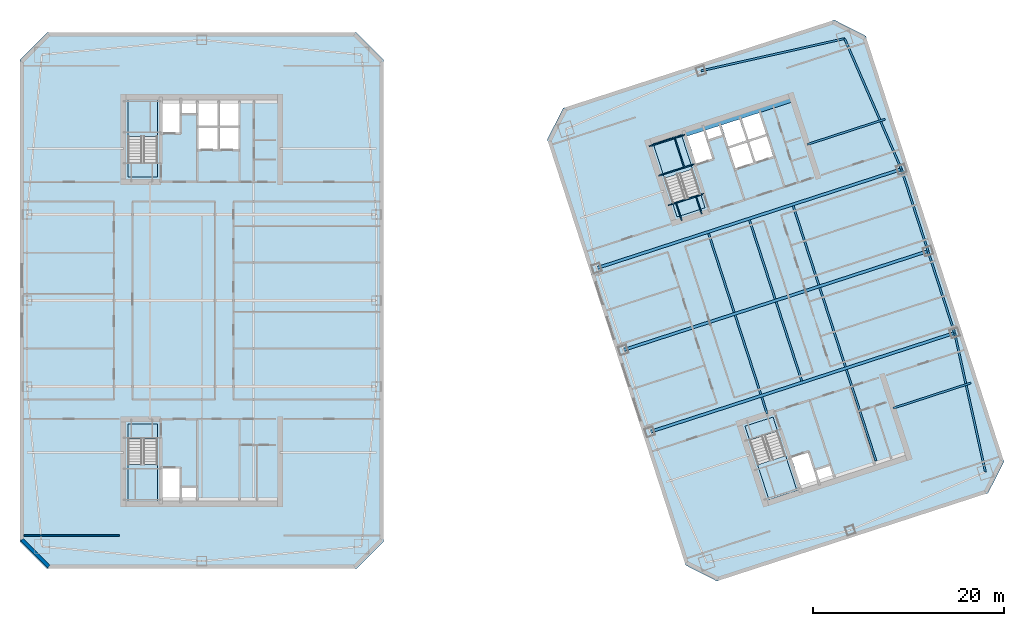
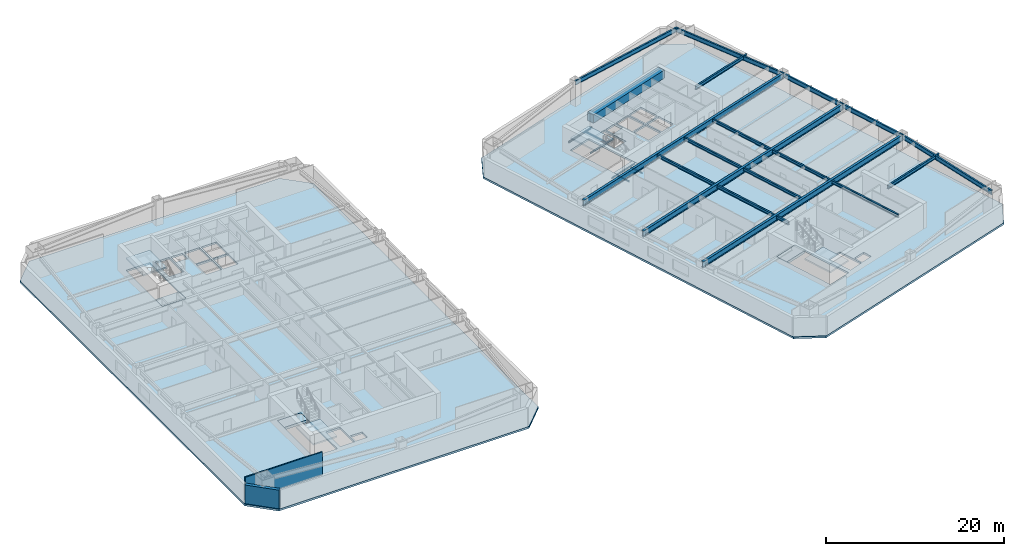
# One storey, part 2 of 11: 25 beams, 10 slabs, 2 walls, 4 elements without a shape of their own.
"""IFC4 building model written with IfcOpenShell, lengths in metres."""

from ifc_helpers import new_model, si_unit, direction, frame, frame_2d, origin, origin_2d, place, context, subcontext, project, spatial, polyline, rectangle, i_section, outline, extrude, material, layer, layer_set, material_profile, profile_set, type_object, element, aggregate, save


model = new_model("IFC4")

# Units and contexts
model_context = context("Model", 3, precision=1e-05, world=origin(), true_north=direction((0.0, 1.0)))
body_context = subcontext(model_context, "Body", "Model", "MODEL_VIEW")
ifc_project = project(units=[si_unit("LENGTHUNIT", "METRE"), si_unit("AREAUNIT", "SQUARE_METRE"), si_unit("VOLUMEUNIT", "CUBIC_METRE"), si_unit("PLANEANGLEUNIT", "RADIAN"), si_unit("MASSUNIT", "GRAM", prefix="KILO")], contexts=[model_context])

# Site, building, storey
site_placement = place(None, origin())
site = spatial("IfcSite", under=ifc_project, at=site_placement, CompositionType="ELEMENT")
building_placement = place(site_placement, origin())
building = spatial("IfcBuilding", under=site, at=building_placement, Name="Qiaolan Cultural Towers", CompositionType="ELEMENT")
storey_placement = place(building_placement, frame((0.0, 0.0, 96.60009765625)))
storey = spatial("IfcBuildingStorey", under=building, at=storey_placement, Name="L24", CompositionType="ELEMENT", Elevation=96.60009765625)

# Beams
ifc_material_1 = material(Name="Steel Q355B", Category="steel")
ifc_material_profile_1 = material_profile(ifc_material_1, i_section(OverallWidth=0.300048828125, OverallDepth=0.800048828125, WebThickness=0.013916015625, FlangeThickness=0.02587890625, at=origin_2d()), Name="HN800x300x14x26")
ifc_profile_set_1 = profile_set([ifc_material_profile_1], Name="Steel Q355B")
beam_type_1 = type_object("IfcBeamType", Name="BM-HN800x300x14x26", PredefinedType="BEAM", material=ifc_profile_set_1)
for number, where, z_axis, x_axis, name in (
    (1, (76.85107421875, 20.264404296875, 2.789794921875), (0.951056559899, 0.309016860175, 0.0), (-0.309016860175, 0.951056559899, 0.0), "L24 T2 Primary Transverse Girder V1"),
    (2, (74.06982421875, 28.823974609375, 2.789794921875), (0.951056559899, 0.309016860175, 0.0), (-0.309016860175, 0.951056559899, 0.0), "L24 T2 Primary Transverse Girder V2"),
    (3, (71.28857421875, 37.383544921875, 2.789794921875), (0.951056559899, 0.309016860175, 0.0), (-0.309016860175, 0.951056559899, 0.0), "L24 T2 Primary Transverse Girder V3"),
):
    element("IfcBeam", number, at=place(storey_placement, frame(where, z_axis=z_axis, x_axis=x_axis)), inside=storey, type_object=beam_type_1, Name=name, PredefinedType="BEAM", context=body_context, shape_type="SweptSolid", body=[
        extrude(i_section(OverallWidth=0.300048828125, OverallDepth=0.800048828125, WebThickness=0.013916015625, FlangeThickness=0.02587890625, at=origin_2d()), origin(), (0.0, 0.0, 1.0), 33.5),
    ])
ifc_material_2 = material(Name="Steel Q355B", Category="steel")
ifc_material_profile_2 = material_profile(ifc_material_2, i_section(OverallWidth=0.199951171875, OverallDepth=0.39990234375, WebThickness=0.008056640625, FlangeThickness=0.012939453125, at=origin_2d()), Name="HN400x200x8x13")
ifc_profile_set_2 = profile_set([ifc_material_profile_2], Name="Steel Q355B")
beam_type_2 = type_object("IfcBeamType", Name="BM-JST-HN400x200x8x13", PredefinedType="JOIST", material=ifc_profile_set_2)
beam_1_placement = place(storey_placement, frame((89.119384765625, 22.147705078125, 2.989990234375), z_axis=(-0.308933885266, 0.951083516067, 0.0), x_axis=(-0.951083516067, -0.308933885266, 0.0)))
element("IfcBeam", 4, at=beam_1_placement, inside=storey, type_object=beam_type_2, Name="L24 T2 Secondary Floor Joist U1-1", PredefinedType="JOIST", context=body_context, shape_type="SweptSolid", body=[
    extrude(i_section(OverallWidth=0.199951171875, OverallDepth=0.39990234375, WebThickness=0.008056640625, FlangeThickness=0.012939453125, at=origin_2d()), origin(), (0.0, 0.0, 1.0), 1.85009765625),
])
for number, where, z_axis, x_axis, name in (
    (5, (88.455078125, 24.192626953125, 2.989990234375), (-0.309020714809, 0.951055307445, 0.0), (-0.951055307445, -0.309020714809, 0.0), "L24 T2 Secondary Floor Joist U1-2"),
    (6, (85.673828125, 32.752197265625, 2.989990234375), (-0.309020714809, 0.951055307445, 0.0), (-0.951055307445, -0.309020714809, 0.0), "L24 T2 Secondary Floor Joist U1-3"),
    (7, (92.73486328125, 25.583251953125, 2.989990234375), (-0.309020714809, 0.951055307445, 0.0), (-0.951055307445, -0.309020714809, 0.0), "L24 T2 Secondary Floor Joist U2-2"),
    (8, (89.95361328125, 34.142578125, 2.989990234375), (-0.309020714809, 0.951055307445, 0.0), (-0.951055307445, -0.309020714809, 0.0), "L24 T2 Secondary Floor Joist U2-3"),
):
    element("IfcBeam", number, at=place(storey_placement, frame(where, z_axis=z_axis, x_axis=x_axis)), inside=storey, type_object=beam_type_2, Name=name, PredefinedType="JOIST", context=body_context, shape_type="SweptSolid", body=[
        extrude(i_section(OverallWidth=0.199951171875, OverallDepth=0.39990234375, WebThickness=0.008056640625, FlangeThickness=0.012939453125, at=origin_2d()), origin(), (0.0, 0.0, 1.0), 8.699951171875),
    ])
beam_2_placement = place(storey_placement, frame((100.498291015625, 17.222900390625, 2.989990234375), z_axis=(-0.309025649293, 0.951053704098, 0.0), x_axis=(-0.951053704098, -0.309025649293, 0.0)))
element("IfcBeam", 9, at=beam_2_placement, inside=storey, type_object=beam_type_2, Name="L24 T2 Secondary Floor Joist U3-1", PredefinedType="JOIST", context=body_context, shape_type="SweptSolid", body=[
    extrude(i_section(OverallWidth=0.199951171875, OverallDepth=0.39990234375, WebThickness=0.008056640625, FlangeThickness=0.012939453125, at=origin_2d()), origin(), (0.0, 0.0, 1.0), 10.050048828125),
])
for number, where, z_axis, x_axis, name in (
    (10, (97.2998046875, 27.06640625, 2.989990234375), (-0.309020714809, 0.951055307445, 0.0), (-0.951055307445, -0.309020714809, 0.0), "L24 T2 Secondary Floor Joist U3-2"),
    (11, (94.518798828125, 35.6259765625, 2.989990234375), (-0.309020714809, 0.951055307445, 0.0), (-0.951055307445, -0.309020714809, 0.0), "L24 T2 Secondary Floor Joist U3-3"),
):
    element("IfcBeam", number, at=place(storey_placement, frame(where, z_axis=z_axis, x_axis=x_axis)), inside=storey, type_object=beam_type_2, Name=name, PredefinedType="JOIST", context=body_context, shape_type="SweptSolid", body=[
        extrude(i_section(OverallWidth=0.199951171875, OverallDepth=0.39990234375, WebThickness=0.008056640625, FlangeThickness=0.012939453125, at=origin_2d()), origin(), (0.0, 0.0, 1.0), 8.699951171875),
    ])
ifc_material_3 = material(Name="Steel Q355B", Category="steel")
ifc_material_profile_3 = material_profile(ifc_material_3, i_section(OverallWidth=0.199951171875, OverallDepth=0.449951171875, WebThickness=0.009033203125, FlangeThickness=0.013916015625, at=origin_2d()), Name="HN450x200x9x14")
ifc_profile_set_3 = profile_set([ifc_material_profile_3], Name="Steel Q355B")
beam_type_3 = type_object("IfcBeamType", Name="BM-LNT-HN450x200x9x14", PredefinedType="LINTEL", material=ifc_profile_set_3)
for number, where, z_axis, x_axis, name in (
    (12, (102.279296875, 22.74365234375, 2.96484375), (0.951057358187, 0.309014403287, 0.0), (-0.309014403287, 0.951057358187, 0.0), "L24 T2 Core Flank Tie Lintel ES"),
    (13, (93.31787109375, 50.32421875, 2.96484375), (0.951057358187, 0.309014403287, 0.0), (-0.309014403287, 0.951057358187, 0.0), "L24 T2 Core Flank Tie Lintel EN"),
):
    element("IfcBeam", number, at=place(storey_placement, frame(where, z_axis=z_axis, x_axis=x_axis)), inside=storey, type_object=beam_type_3, Name=name, PredefinedType="LINTEL", context=body_context, shape_type="SweptSolid", body=[
        extrude(i_section(OverallWidth=0.199951171875, OverallDepth=0.449951171875, WebThickness=0.009033203125, FlangeThickness=0.013916015625, at=origin_2d()), origin(), (0.0, 0.0, 1.0), 8.550048828125),
    ])
ifc_material_4 = material(Name="Concrete C50", Category="concrete")
ifc_material_profile_4 = material_profile(ifc_material_4, rectangle(XDim=0.89990234375, YDim=1.10009765625, at=origin_2d()), Name="RC900x1100")
ifc_profile_set_4 = profile_set([ifc_material_profile_4], Name="Concrete C50")
beam_type_4 = type_object("IfcBeamType", Name="BM-RC900x1100", PredefinedType="BEAM", material=ifc_profile_set_4)
beam_3_placement = place(storey_placement, frame((80.427978515625, 51.551025390625, 2.639892578125), z_axis=(0.951056266386, 0.309017763514, 0.0), x_axis=(-0.309017763514, 0.951056266386, 0.0)))
element("IfcBeam", 14, at=beam_3_placement, inside=storey, type_object=beam_type_4, Name="L24 T2 Core Header Girder N", PredefinedType="BEAM", context=body_context, shape_type="SweptSolid", body=[
    extrude(rectangle(XDim=0.89990234375, YDim=1.10009765625, at=origin_2d()), origin(), (0.0, 0.0, 1.0), 11.880126953125),
])
ifc_material_5 = material(Name="Steel Q355B", Category="steel")
ifc_material_profile_5 = material_profile(ifc_material_5, i_section(OverallWidth=0.199951171875, OverallDepth=0.60009765625, WebThickness=0.010986328125, FlangeThickness=0.01708984375, at=origin_2d()), Name="HN600x200x11x17")
ifc_profile_set_5 = profile_set([ifc_material_profile_5], Name="Steel Q355B")
beam_type_5 = type_object("IfcBeamType", Name="BM-SPD-HN600x200x11x17", PredefinedType="SPANDREL", material=ifc_profile_set_5)
beam_4_placement = place(storey_placement, frame((111.930908203125, 16.080078125, 2.889892578125), z_axis=(-0.216237644833, 0.976340760676, 0.0), x_axis=(-0.976340760676, -0.216237644833, 0.0)))
element("IfcBeam", 15, at=beam_4_placement, inside=storey, type_object=beam_type_5, Name="L24 T2 Perimeter Spandrel Beam 3", PredefinedType="SPANDREL", context=body_context, shape_type="SweptSolid", body=[
    extrude(i_section(OverallWidth=0.199951171875, OverallDepth=0.60009765625, WebThickness=0.010986328125, FlangeThickness=0.01708984375, at=origin_2d()), origin(), (0.0, 0.0, 1.0), 14.888671875),
])
for number, where, z_axis, x_axis, name in (
    (16, (108.71142578125, 30.616455078125, 2.889892578125), (-0.309024734286, 0.951054001411, 0.0), (-0.951054001411, -0.309024734286, 0.0), "L24 T2 Perimeter Spandrel Beam 4"),
    (17, (105.93017578125, 39.176025390625, 2.889892578125), (-0.309024734286, 0.951054001411, 0.0), (-0.951054001411, -0.309024734286, 0.0), "L24 T2 Perimeter Spandrel Beam 5"),
):
    element("IfcBeam", number, at=place(storey_placement, frame(where, z_axis=z_axis, x_axis=x_axis)), inside=storey, type_object=beam_type_5, Name=name, PredefinedType="SPANDREL", context=body_context, shape_type="SweptSolid", body=[
        extrude(i_section(OverallWidth=0.199951171875, OverallDepth=0.60009765625, WebThickness=0.010986328125, FlangeThickness=0.01708984375, at=origin_2d()), origin(), (0.0, 0.0, 1.0), 9.0),
    ])
beam_5_placement = place(storey_placement, frame((103.14892578125, 47.735595703125, 2.889892578125), z_axis=(-0.398920370799, 0.916985571185, 0.0), x_axis=(-0.916985571185, -0.398920370799, 0.0)))
element("IfcBeam", 18, at=beam_5_placement, inside=storey, type_object=beam_type_5, Name="L24 T2 Perimeter Spandrel Beam 6", PredefinedType="SPANDREL", context=body_context, shape_type="SweptSolid", body=[
    extrude(i_section(OverallWidth=0.199951171875, OverallDepth=0.60009765625, WebThickness=0.010986328125, FlangeThickness=0.01708984375, at=origin_2d()), origin(), (0.0, 0.0, 1.0), 14.888916015625),
])
beam_6_placement = place(storey_placement, frame((97.20947265625, 61.388427734375, 2.889892578125), z_axis=(-0.975658154374, -0.219296980836, 0.0), x_axis=(0.219296980836, -0.975658154374, 0.0)))
element("IfcBeam", 19, at=beam_6_placement, inside=storey, type_object=beam_type_5, Name="L24 T2 Perimeter Spandrel Beam 7", PredefinedType="SPANDREL", context=body_context, shape_type="SweptSolid", body=[
    extrude(i_section(OverallWidth=0.199951171875, OverallDepth=0.60009765625, WebThickness=0.010986328125, FlangeThickness=0.01708984375, at=origin_2d()), origin(), (0.0, 0.0, 1.0), 15.38671875),
])
ifc_material_6 = material(Name="Steel Q355B", Category="steel")
ifc_material_profile_6 = material_profile(ifc_material_6, i_section(OverallWidth=0.10009765625, OverallDepth=0.199951171875, WebThickness=0.005615234375, FlangeThickness=0.008056640625, at=origin_2d()), Name="HN200x100x5.5x8")
ifc_profile_set_6 = profile_set([ifc_material_profile_6], Name="Steel Q355B")
beam_type_6 = type_object("IfcBeamType", Name="BM-STTRIM-200", PredefinedType="BEAM", material=ifc_profile_set_6)
beam_7_placement = place(storey_placement, frame((78.773193359375, 43.958251953125, -0.460205078125), z_axis=(0.951072048947, 0.3089691857, 0.0), x_axis=(-0.3089691857, 0.951072048947, 0.0)))
element("IfcBeam", 20, at=beam_7_placement, inside=storey, type_object=beam_type_6, Name="L24 ST-E2 Floor Landing Header Beam", PredefinedType="BEAM", context=body_context, shape_type="SweptSolid", body=[
    extrude(i_section(OverallWidth=0.10009765625, OverallDepth=0.199951171875, WebThickness=0.005615234375, FlangeThickness=0.008056640625, at=origin_2d()), origin(), (0.0, 0.0, 1.0), 3.920166015625),
])
for number, where, z_axis, x_axis, name in (
    (21, (80.18115234375, 42.375732421875, -0.460205078125), (-0.308969394428, 0.951071981138, 0.0), (-0.951071981138, -0.308969394428, 0.0), "L24 ST-E2 Floor Landing Stringer 1"),
    (22, (82.2734375, 43.0556640625, -0.460205078125), (-0.308969394428, 0.951071981138, 0.0), (-0.951071981138, -0.308969394428, 0.0), "L24 ST-E2 Floor Landing Stringer 2"),
):
    element("IfcBeam", number, at=place(storey_placement, frame(where, z_axis=z_axis, x_axis=x_axis)), inside=storey, type_object=beam_type_6, Name=name, PredefinedType="BEAM", context=body_context, shape_type="SweptSolid", body=[
        extrude(i_section(OverallWidth=0.10009765625, OverallDepth=0.199951171875, WebThickness=0.005615234375, FlangeThickness=0.008056640625, at=origin_2d()), origin(), (0.0, 0.0, 1.0), 1.93994140625),
    ])
for number, where, z_axis, x_axis, name in (
    (23, (77.769287109375, 47.0478515625, 1.4248046875), (0.951053746643, 0.309025518358, 0.0), (-0.309025518358, 0.951053746643, 0.0), "L24 ST-E2 Stair Landing Support Beam 1-1"),
    (24, (76.770751953125, 50.12109375, 1.4248046875), (0.951072048947, 0.3089691857, 0.0), (-0.3089691857, 0.951072048947, 0.0), "L24 ST-E2 Stair Landing Support Beam 1-2"),
):
    element("IfcBeam", number, at=place(storey_placement, frame(where, z_axis=z_axis, x_axis=x_axis)), inside=storey, type_object=beam_type_6, Name=name, PredefinedType="BEAM", context=body_context, shape_type="SweptSolid", body=[
        extrude(i_section(OverallWidth=0.10009765625, OverallDepth=0.199951171875, WebThickness=0.005615234375, FlangeThickness=0.008056640625, at=origin_2d()), origin(), (0.0, 0.0, 1.0), 3.920166015625),
    ])
beam_8_placement = place(storey_placement, frame((80.44189453125, 47.916259765625, 1.4248046875), z_axis=(-0.309033108495, 0.951051280349, 0.0), x_axis=(-0.951051280349, -0.309033108495, 0.0)))
element("IfcBeam", 25, at=beam_8_placement, inside=storey, type_object=beam_type_6, Name="L24 ST-E2 Stair Landing Trimmer 1", PredefinedType="BEAM", context=body_context, shape_type="SweptSolid", body=[
    extrude(i_section(OverallWidth=0.10009765625, OverallDepth=0.199951171875, WebThickness=0.005615234375, FlangeThickness=0.008056640625, at=origin_2d()), origin(), (0.0, 0.0, 1.0), 3.231201171875),
])

# Slabs
ifc_material_7 = material(Name="Concrete C50", Category="concrete")
ifc_layer_1 = layer(ifc_material_7, 0.260009765625)
ifc_layer_set_1 = layer_set([ifc_layer_1], Name="Concrete C50")
slab_type_1 = type_object("IfcSlabType", Name="SL-ARC-260", PredefinedType="FLOOR", material=ifc_layer_set_1)
slab_1_placement = place(storey_placement, frame((0.0, 0.0, -0.260009765625)))
element("IfcSlab", 26, at=slab_1_placement, inside=storey, type_object=slab_type_1, Name="L24 West Tower Floor Slab", PredefinedType="FLOOR", context=body_context, shape_type="SweptSolid", body=[
    extrude(outline(polyline([(13.800048828125, 6.0), (46.199951171875, 6.0), (49.0, 8.800048828125), (49.0, 59.199951171875), (46.199951171875, 62.0), (13.800048828125, 62.0), (11.0, 59.199951171875), (11.0, 8.800048828125), (13.800048828125, 6.0)]), holes=[polyline([(22.300048828125, 21.10009765625), (22.300048828125, 13.0), (25.3798828125, 13.0), (25.3798828125, 21.10009765625), (22.300048828125, 21.10009765625)]), polyline([(25.3798828125, 46.89990234375), (25.3798828125, 55.0), (22.300048828125, 55.0), (22.300048828125, 46.89990234375), (25.3798828125, 46.89990234375)]), polyline([(25.89990234375, 13.199951171875), (27.75, 13.199951171875), (27.75, 16.449951171875), (25.89990234375, 16.449951171875), (25.89990234375, 13.199951171875)]), polyline([(27.93994140625, 13.25), (29.449951171875, 13.25), (29.449951171875, 14.419921875), (27.93994140625, 14.419921875), (27.93994140625, 13.25)]), polyline([(25.89990234375, 51.550048828125), (27.75, 51.550048828125), (27.75, 54.800048828125), (25.89990234375, 54.800048828125), (25.89990234375, 51.550048828125)]), polyline([(27.93994140625, 53.580078125), (29.449951171875, 53.580078125), (29.449951171875, 54.75), (27.93994140625, 54.75), (27.93994140625, 53.580078125)]), polyline([(29.679931640625, 49.820068359375), (31.679931640625, 49.820068359375), (31.679931640625, 52.080078125), (29.679931640625, 52.080078125), (29.679931640625, 49.820068359375)]), polyline([(31.8798828125, 49.820068359375), (33.820068359375, 49.820068359375), (33.820068359375, 52.080078125), (31.8798828125, 52.080078125), (31.8798828125, 49.820068359375)]), polyline([(29.679931640625, 52.27001953125), (31.659912109375, 52.27001953125), (31.659912109375, 54.75), (29.679931640625, 54.75), (29.679931640625, 52.27001953125)]), polyline([(31.8798828125, 52.27001953125), (33.820068359375, 52.27001953125), (33.820068359375, 54.75), (31.8798828125, 54.75), (31.8798828125, 52.27001953125)])]), origin(), (0.0, 0.0, 1.0), 0.260009765625),
])
slab_2_placement = place(storey_placement, frame((0.0, 0.0, -0.260009765625)))
element("IfcSlab", 27, at=slab_2_placement, inside=storey, type_object=slab_type_1, Name="L24 East Tower Floor Slab", PredefinedType="FLOOR", context=body_context, shape_type="SweptSolid", body=[
    extrude(outline(polyline([(83.86376953125, 4.668212890625), (112.205078125, 13.876953125), (113.87451171875, 17.153076171875), (99.41259765625, 61.66259765625), (96.13623046875, 63.331787109375), (67.794921875, 54.123046875), (66.12548828125, 50.846923828125), (80.58740234375, 6.33740234375), (83.86376953125, 4.668212890625)]), holes=[polyline([(86.80126953125, 20.868896484375), (89.30419921875, 13.165283203125), (92.2333984375, 14.116943359375), (89.73046875, 21.820556640625), (86.80126953125, 20.868896484375)]), polyline([(82.623046875, 43.69482421875), (80.1201171875, 51.3984375), (77.190673828125, 50.44677734375), (79.69384765625, 42.7431640625), (82.623046875, 43.69482421875)]), polyline([(92.666259765625, 14.468017578125), (94.42578125, 15.03955078125), (93.42138671875, 18.130615234375), (91.661865234375, 17.558837890625), (92.666259765625, 14.468017578125)]), polyline([(94.5908203125, 15.14599609375), (96.027099609375, 15.612548828125), (95.66552734375, 16.725341796875), (94.2294921875, 16.258544921875), (94.5908203125, 15.14599609375)]), polyline([(81.6806640625, 48.278076171875), (83.440185546875, 48.849609375), (82.435791015625, 51.940673828125), (80.67626953125, 51.368896484375), (81.6806640625, 48.278076171875)]), polyline([(82.993408203125, 50.839111328125), (84.4296875, 51.3056640625), (84.068115234375, 52.41845703125), (82.632080078125, 51.95166015625), (82.993408203125, 50.839111328125)]), polyline([(85.810302734375, 47.80078125), (87.71240234375, 48.418701171875), (87.013916015625, 50.568115234375), (85.11181640625, 49.9501953125), (85.810302734375, 47.80078125)]), polyline([(87.902587890625, 48.480712890625), (89.74755859375, 49.080078125), (89.04931640625, 51.2294921875), (87.2041015625, 50.6298828125), (87.902587890625, 48.480712890625)]), polyline([(85.05322265625, 50.130859375), (86.936279296875, 50.74267578125), (86.169921875, 53.101318359375), (84.286865234375, 52.489501953125), (85.05322265625, 50.130859375)]), polyline([(87.1455078125, 50.810791015625), (88.990478515625, 51.41015625), (88.22412109375, 53.768798828125), (86.379150390625, 53.169189453125), (87.1455078125, 50.810791015625)])]), origin(), (0.0, 0.0, 1.0), 0.260009765625),
])

# Stair, slab
ifc_material_8 = material(Name="Concrete C45", Category="concrete")
stair_type = type_object("IfcStairType", Name="STR-CORE-1500", PredefinedType="HALF_TURN_STAIR", material=ifc_material_8)
stair_1_placement = place(storey_placement, origin())
stair_1 = element("IfcStair", 28, at=stair_1_placement, inside=storey, type_object=stair_type, Name="L24 Smokeproof Exit Stair ST-W1", PredefinedType="HALF_TURN_STAIR")
ifc_material_9 = material(Name="Concrete C45", Category="concrete")
ifc_layer_2 = layer(ifc_material_9, 0.199951171875)
ifc_layer_set_2 = layer_set([ifc_layer_2], Name="Concrete C45")
slab_type_2 = type_object("IfcSlabType", Name="SL-STAIR-LAND", PredefinedType="LANDING", material=ifc_layer_set_2)
slab_3_placement = place(storey_placement, frame((0.0, 0.0, 1.52490234375)))
slab_3 = element("IfcSlab", 29, at=slab_3_placement, type_object=slab_type_2, Name="ST-W1 landing 1", PredefinedType="LANDING", context=body_context, shape_type="SweptSolid", body=[
    extrude(outline(polyline([(22.300048828125, 16.851318359375), (22.300048828125, 13.0), (25.3798828125, 13.0), (25.3798828125, 16.851318359375), (22.300048828125, 16.851318359375)])), origin(), (0.0, 0.0, 1.0), 0.199951171875),
])
aggregate(stair_1, [slab_3])

stair_2_placement = place(storey_placement, origin())
stair_2 = element("IfcStair", 30, at=stair_2_placement, inside=storey, type_object=stair_type, Name="L24 Smokeproof Exit Stair ST-W2", PredefinedType="HALF_TURN_STAIR")
slab_4_placement = place(storey_placement, frame((0.0, 0.0, 1.52490234375)))
slab_4 = element("IfcSlab", 31, at=slab_4_placement, type_object=slab_type_2, Name="ST-W2 landing 1", PredefinedType="LANDING", context=body_context, shape_type="SweptSolid", body=[
    extrude(outline(polyline([(25.3798828125, 51.148681640625), (25.3798828125, 55.0), (22.300048828125, 55.0), (22.300048828125, 51.148681640625), (25.3798828125, 51.148681640625)])), origin(), (0.0, 0.0, 1.0), 0.199951171875),
])
aggregate(stair_2, [slab_4])

stair_3_placement = place(storey_placement, origin())
stair_3 = element("IfcStair", 32, at=stair_3_placement, inside=storey, type_object=stair_type, Name="L24 Smokeproof Exit Stair ST-E1", PredefinedType="HALF_TURN_STAIR")
slab_5_placement = place(storey_placement, frame((0.0, 0.0, 1.52490234375)))
slab_5 = element("IfcSlab", 33, at=slab_5_placement, type_object=slab_type_2, Name="ST-E1 landing 1", PredefinedType="LANDING", context=body_context, shape_type="SweptSolid", body=[
    extrude(outline(polyline([(88.114013671875, 16.828125), (89.30419921875, 13.165283203125), (92.2333984375, 14.116943359375), (91.04345703125, 17.77978515625), (88.114013671875, 16.828125)])), origin(), (0.0, 0.0, 1.0), 0.199951171875),
])
aggregate(stair_3, [slab_5])

stair_4_placement = place(storey_placement, origin())
stair_4 = element("IfcStair", 34, at=stair_4_placement, inside=storey, type_object=stair_type, Name="L24 Smokeproof Exit Stair ST-E2", PredefinedType="HALF_TURN_STAIR")
slab_6_placement = place(storey_placement, frame((0.0, 0.0, 1.52490234375)))
slab_6 = element("IfcSlab", 35, at=slab_6_placement, type_object=slab_type_2, Name="ST-E2 landing 1", PredefinedType="LANDING", context=body_context, shape_type="SweptSolid", body=[
    extrude(outline(polyline([(81.31005859375, 47.735595703125), (80.1201171875, 51.3984375), (77.190673828125, 50.44677734375), (78.380859375, 46.783935546875), (81.31005859375, 47.735595703125)])), origin(), (0.0, 0.0, 1.0), 0.199951171875),
])
aggregate(stair_4, [slab_6])

# Slabs
ifc_material_10 = material(Name="Concrete C40", Category="concrete")
ifc_layer_3 = layer(ifc_material_10, 0.360107421875)
ifc_layer_set_3 = layer_set([ifc_layer_3], Name="Concrete C40")
slab_type_3 = type_object("IfcSlabType", Name="SL-STFLR-360", PredefinedType="LANDING", material=ifc_layer_set_3)
slab_7_placement = place(storey_placement, frame((0.0, 0.0, -0.360107421875)))
element("IfcSlab", 36, at=slab_7_placement, inside=storey, type_object=slab_type_3, Name="L24 ST-W1 Stair Floor Landing Slab", PredefinedType="LANDING", context=body_context, shape_type="SweptSolid", body=[
    extrude(outline(polyline([(22.302001953125, 21.097900390625), (22.302001953125, 19.548583984375), (25.3779296875, 19.548583984375), (25.3779296875, 21.097900390625), (22.302001953125, 21.097900390625)])), origin(), (0.0, 0.0, 1.0), 0.360107421875),
])
slab_8_placement = place(storey_placement, frame((0.0, 0.0, -0.360107421875)))
element("IfcSlab", 37, at=slab_8_placement, inside=storey, type_object=slab_type_3, Name="L24 ST-W2 Stair Floor Landing Slab", PredefinedType="LANDING", context=body_context, shape_type="SweptSolid", body=[
    extrude(outline(polyline([(25.3779296875, 46.902099609375), (25.3779296875, 48.451416015625), (22.302001953125, 48.451416015625), (22.302001953125, 46.902099609375), (25.3779296875, 46.902099609375)])), origin(), (0.0, 0.0, 1.0), 0.360107421875),
])
slab_9_placement = place(storey_placement, frame((0.0, 0.0, -0.360107421875)))
element("IfcSlab", 38, at=slab_9_placement, inside=storey, type_object=slab_type_3, Name="L24 ST-E1 Stair Floor Landing Slab", PredefinedType="LANDING", context=body_context, shape_type="SweptSolid", body=[
    extrude(outline(polyline([(86.8037109375, 20.867431640625), (87.282470703125, 19.39404296875), (90.2080078125, 20.3447265625), (89.729248046875, 21.818115234375), (86.8037109375, 20.867431640625)])), origin(), (0.0, 0.0, 1.0), 0.360107421875),
])
slab_10_placement = place(storey_placement, frame((0.0, 0.0, -0.360107421875)))
element("IfcSlab", 39, at=slab_10_placement, inside=storey, type_object=slab_type_3, Name="L24 ST-E2 Stair Floor Landing Slab", PredefinedType="LANDING", context=body_context, shape_type="SweptSolid", body=[
    extrude(outline(polyline([(82.62060546875, 43.6962890625), (82.141845703125, 45.169677734375), (79.21630859375, 44.21923828125), (79.695068359375, 42.74560546875), (82.62060546875, 43.6962890625)])), origin(), (0.0, 0.0, 1.0), 0.360107421875),
])

# Walls
ifc_material_11 = material(Name="Precast Concrete C50 Honed Stone Pier", Category="masonry")
ifc_layer_4 = layer(ifc_material_11, 0.39990234375)
ifc_layer_set_4 = layer_set([ifc_layer_4], Name="Precast Concrete C50 Honed Stone Pier")
wall_type_1 = type_object("IfcWallType", Name="WL-EXT-PIER-400", PredefinedType="SOLIDWALL", material=ifc_layer_set_4)
wall_1_placement = place(storey_placement, frame((14.0, 6.199951171875, 0.0), z_axis=(0.0, 0.0, 1.0), x_axis=(-0.707106781187, 0.707106781187, 0.0)))
element("IfcWall", 40, at=wall_1_placement, inside=storey, type_object=wall_type_1, Name="L24 West Tower Precast Pier Facade Wall F8", PredefinedType="SOLIDWALL", context=body_context, shape_type="SweptSolid", body=[
    extrude(rectangle(XDim=3.9599609375, YDim=0.39990234375, at=frame_2d((1.97998046875, 0.0))), origin(), (0.0, 0.0, 1.0), 2.5498046875),
])
ifc_material_12 = material(Name="Autoclaved Aerated Concrete Block B06", Category="concrete")
ifc_layer_5 = layer(ifc_material_12, 0.14990234375)
ifc_layer_set_5 = layer_set([ifc_layer_5], Name="Autoclaved Aerated Concrete Block B06")
wall_type_2 = type_object("IfcWallType", Name="WL-PART-150", PredefinedType="PARTITIONING", material=ifc_layer_set_5)
wall_2_placement = place(storey_placement, frame((11.39990234375, 9.449951171875, 0.0), z_axis=(0.0, 0.0, 1.0), x_axis=(1.0, 0.0, 0.0)))
element("IfcWall", 41, at=wall_2_placement, inside=storey, type_object=wall_type_2, Name="L24 T1 Flank Wall FLK-SW", PredefinedType="PARTITIONING", context=body_context, shape_type="SweptSolid", body=[
    extrude(rectangle(XDim=10.0, YDim=0.14990234375, at=frame_2d((5.0, 0.0))), origin(), (0.0, 0.0, 1.0), 3.15478515625),
])

save(model, "model.ifc")
